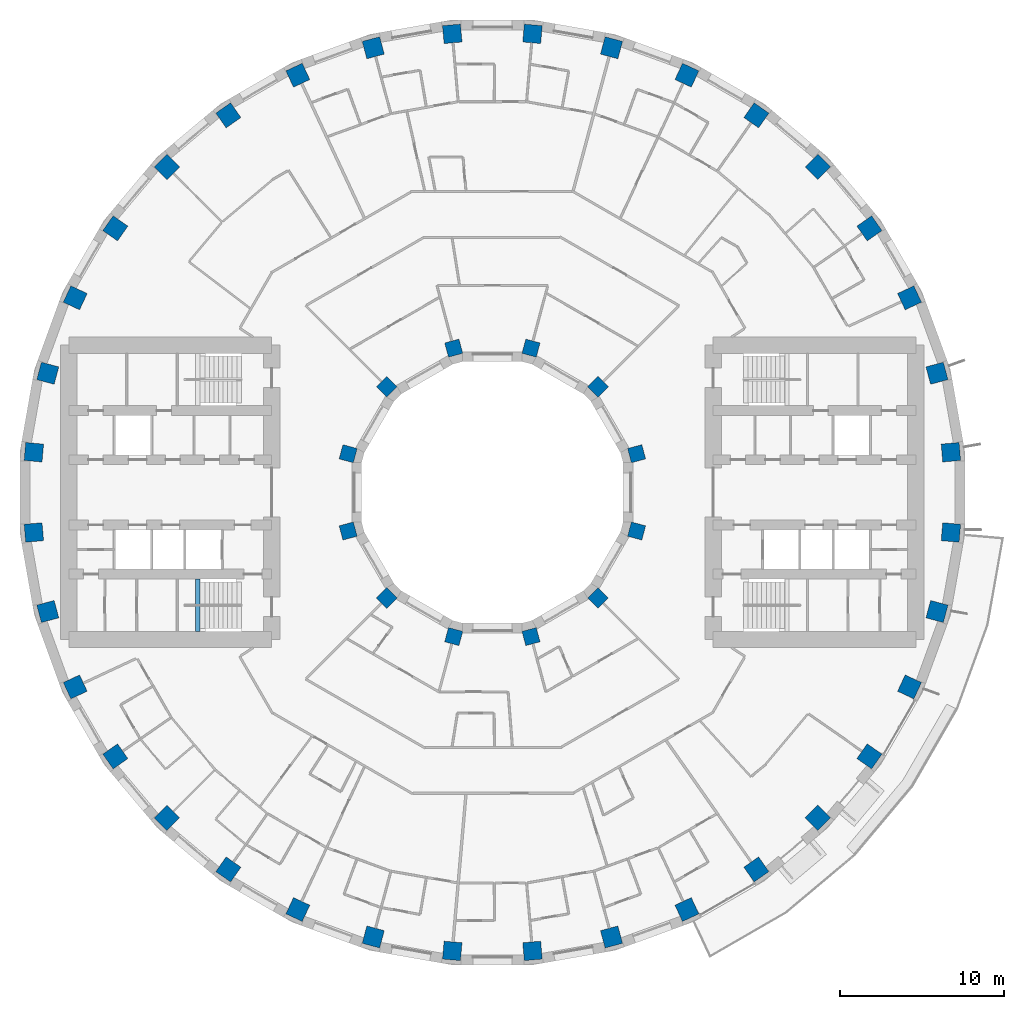
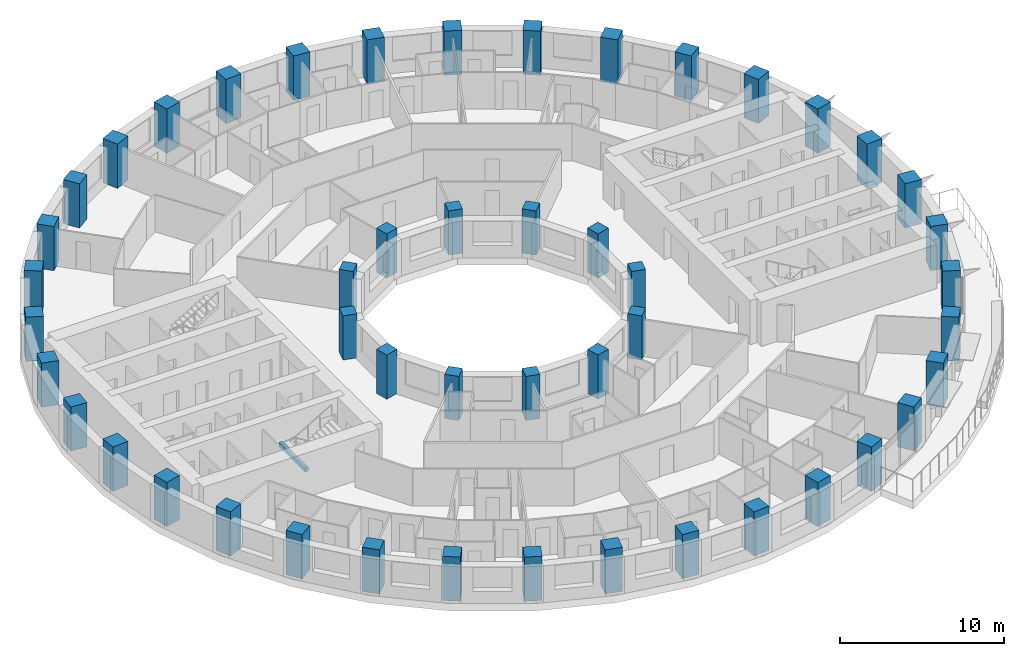
# One storey, part 1 of 15: 48 columns, 1 beam.
"""IFC4 building model written with IfcOpenShell, lengths in metres."""

from ifc_helpers import new_model, si_unit, direction, frame, origin, origin_2d, place, context, subcontext, project, spatial, rectangle, extrude, material, material_profile, profile_set, type_object, element, save


model = new_model("IFC4")

# Units and contexts
model_context = context("Model", 3, precision=1e-05, world=origin(), true_north=direction((0.0, 1.0)))
body_context = subcontext(model_context, "Body", "Model", "MODEL_VIEW")
ifc_project = project(units=[si_unit("LENGTHUNIT", "METRE"), si_unit("AREAUNIT", "SQUARE_METRE"), si_unit("VOLUMEUNIT", "CUBIC_METRE"), si_unit("PLANEANGLEUNIT", "RADIAN"), si_unit("MASSUNIT", "GRAM", prefix="KILO")], contexts=[model_context])

# Site, building, storey
site_placement = place(None, origin())
site = spatial("IfcSite", under=ifc_project, at=site_placement, CompositionType="ELEMENT")
building_placement = place(site_placement, origin())
building = spatial("IfcBuilding", under=site, at=building_placement, Name="Saqina Gate Tower", CompositionType="ELEMENT")
storey_placement = place(building_placement, frame((0.0, 0.0, 42.800048828125)))
storey = spatial("IfcBuildingStorey", under=building, at=storey_placement, Name="L11", CompositionType="ELEMENT", Elevation=42.800048828125)

# Columns
ifc_material_1 = material(Name="Concrete C70/85", Category="concrete")
ifc_material_profile_1 = material_profile(ifc_material_1, rectangle(XDim=0.89990234375, YDim=0.89990234375, at=origin_2d()), Name="RC 900x900")
ifc_profile_set_1 = profile_set([ifc_material_profile_1], Name="Concrete C70/85")
column_type_1 = type_object("IfcColumnType", Name="STR-COL-IN-A", PredefinedType="COLUMN", material=ifc_profile_set_1)
for number, where, z_axis, x_axis, name in (
    (1, (8.821044921875, 2.363525390625, 0.0), (0.0, 0.0, 1.0), (0.965925826289, 0.258819045103, 0.0), "L11-ICL01"),
    (2, (6.45751953125, 6.45751953125, 0.0), (0.0, 0.0, 1.0), (0.707106781187, 0.707106781187, 0.0), "L11-ICL02"),
    (3, (2.363525390625, 8.821044921875, 0.0), (0.0, 0.0, 1.0), (0.258819045103, 0.965925826289, 0.0), "L11-ICL03"),
    (4, (-2.363525390625, 8.821044921875, 0.0), (0.0, 0.0, 1.0), (-0.258819045103, 0.965925826289, 0.0), "L11-ICL04"),
    (5, (-6.45751953125, 6.45751953125, 0.0), (0.0, 0.0, 1.0), (-0.707106781187, 0.707106781187, 0.0), "L11-ICL05"),
    (6, (-8.821044921875, 2.363525390625, 0.0), (0.0, 0.0, 1.0), (-0.965925826289, 0.258819045103, 0.0), "L11-ICL06"),
    (7, (-8.821044921875, -2.363525390625, 0.0), (0.0, 0.0, 1.0), (-0.965925826289, -0.258819045103, 0.0), "L11-ICL07"),
    (8, (-6.45751953125, -6.45751953125, 0.0), (0.0, 0.0, 1.0), (-0.707106781187, -0.707106781187, 0.0), "L11-ICL08"),
    (9, (-2.363525390625, -8.821044921875, 0.0), (0.0, 0.0, 1.0), (-0.258819045103, -0.965925826289, 0.0), "L11-ICL09"),
    (10, (2.363525390625, -8.821044921875, 0.0), (0.0, 0.0, 1.0), (0.258819045103, -0.965925826289, 0.0), "L11-ICL10"),
    (11, (6.45751953125, -6.45751953125, 0.0), (0.0, 0.0, 1.0), (0.707106781187, -0.707106781187, 0.0), "L11-ICL11"),
    (12, (8.821044921875, -2.363525390625, 0.0), (0.0, 0.0, 1.0), (0.965925826289, -0.258819045103, 0.0), "L11-ICL12"),
):
    element("IfcColumn", number, at=place(storey_placement, frame(where, z_axis=z_axis, x_axis=x_axis)), inside=storey, type_object=column_type_1, Name=name, PredefinedType="COLUMN", context=body_context, shape_type="SweptSolid", body=[
        extrude(rectangle(XDim=0.89990234375, YDim=0.89990234375, at=origin_2d()), origin(), (0.0, 0.0, 1.0), 3.300048828125),
    ])
ifc_material_2 = material(Name="Concrete C70/85", Category="concrete")
ifc_material_profile_2 = material_profile(ifc_material_2, rectangle(XDim=1.10009765625, YDim=1.10009765625, at=origin_2d()), Name="RC 1100x1100")
ifc_profile_set_2 = profile_set([ifc_material_profile_2], Name="Concrete C70/85")
column_type_2 = type_object("IfcColumnType", Name="STR-COL-OUT-A", PredefinedType="COLUMN", material=ifc_profile_set_2)
for number, where, z_axis, x_axis, name in (
    (13, (28.04296875, 2.453369140625, 0.0), (0.0, 0.0, 1.0), (0.996194698092, 0.087155742748, 0.0), "L11-COL01"),
    (14, (27.19091796875, 7.28564453125, 0.0), (0.0, 0.0, 1.0), (0.965925826289, 0.258819045103, 0.0), "L11-COL02"),
    (15, (25.512451171875, 11.896728515625, 0.0), (0.0, 0.0, 1.0), (0.906307787037, 0.422618261741, 0.0), "L11-COL03"),
    (16, (23.05908203125, 16.146240234375, 0.0), (0.0, 0.0, 1.0), (0.819152044289, 0.573576436351, 0.0), "L11-COL04"),
    (17, (19.905029296875, 19.905029296875, 0.0), (0.0, 0.0, 1.0), (0.707106781187, 0.707106781187, 0.0), "L11-COL05"),
    (18, (16.146240234375, 23.05908203125, 0.0), (0.0, 0.0, 1.0), (0.573576436351, 0.819152044289, 0.0), "L11-COL06"),
    (19, (11.896728515625, 25.512451171875, 0.0), (0.0, 0.0, 1.0), (0.422618261741, 0.906307787037, 0.0), "L11-COL07"),
    (20, (7.28564453125, 27.19091796875, 0.0), (0.0, 0.0, 1.0), (0.258819045103, 0.965925826289, 0.0), "L11-COL08"),
    (21, (2.453369140625, 28.04296875, 0.0), (0.0, 0.0, 1.0), (0.087155742748, 0.996194698092, 0.0), "L11-COL09"),
    (22, (-2.453369140625, 28.04296875, 0.0), (0.0, 0.0, 1.0), (-0.087155742748, 0.996194698092, 0.0), "L11-COL10"),
    (23, (-7.28564453125, 27.19091796875, 0.0), (0.0, 0.0, 1.0), (-0.258819045103, 0.965925826289, 0.0), "L11-COL11"),
    (24, (-11.896728515625, 25.512451171875, 0.0), (0.0, 0.0, 1.0), (-0.422618261741, 0.906307787037, 0.0), "L11-COL12"),
    (25, (-16.146240234375, 23.05908203125, 0.0), (0.0, 0.0, 1.0), (-0.573576436351, 0.819152044289, 0.0), "L11-COL13"),
    (26, (-19.905029296875, 19.905029296875, 0.0), (0.0, 0.0, 1.0), (-0.707106781187, 0.707106781187, 0.0), "L11-COL14"),
    (27, (-23.05908203125, 16.146240234375, 0.0), (0.0, 0.0, 1.0), (-0.819152044289, 0.573576436351, 0.0), "L11-COL15"),
    (28, (-25.512451171875, 11.896728515625, 0.0), (0.0, 0.0, 1.0), (-0.906307787037, 0.422618261741, 0.0), "L11-COL16"),
    (29, (-27.19091796875, 7.28564453125, 0.0), (0.0, 0.0, 1.0), (-0.965925826289, 0.258819045103, 0.0), "L11-COL17"),
    (30, (-28.04296875, 2.453369140625, 0.0), (0.0, 0.0, 1.0), (-0.996194698092, 0.087155742748, 0.0), "L11-COL18"),
    (31, (-28.04296875, -2.453369140625, 0.0), (0.0, 0.0, 1.0), (-0.996194698092, -0.087155742748, 0.0), "L11-COL19"),
    (32, (-27.19091796875, -7.28564453125, 0.0), (0.0, 0.0, 1.0), (-0.965925826289, -0.258819045103, 0.0), "L11-COL20"),
    (33, (-25.512451171875, -11.896728515625, 0.0), (0.0, 0.0, 1.0), (-0.906307787037, -0.422618261741, 0.0), "L11-COL21"),
    (34, (-23.05908203125, -16.146240234375, 0.0), (0.0, 0.0, 1.0), (-0.819152044289, -0.573576436351, 0.0), "L11-COL22"),
    (35, (-19.905029296875, -19.905029296875, 0.0), (0.0, 0.0, 1.0), (-0.707106781187, -0.707106781187, 0.0), "L11-COL23"),
    (36, (-16.146240234375, -23.05908203125, 0.0), (0.0, 0.0, 1.0), (-0.573576436351, -0.819152044289, 0.0), "L11-COL24"),
    (37, (-11.896728515625, -25.512451171875, 0.0), (0.0, 0.0, 1.0), (-0.422618261741, -0.906307787037, 0.0), "L11-COL25"),
    (38, (-7.28564453125, -27.19091796875, 0.0), (0.0, 0.0, 1.0), (-0.258819045103, -0.965925826289, 0.0), "L11-COL26"),
    (39, (-2.453369140625, -28.04296875, 0.0), (0.0, 0.0, 1.0), (-0.087155742748, -0.996194698092, 0.0), "L11-COL27"),
    (40, (2.453369140625, -28.04296875, 0.0), (0.0, 0.0, 1.0), (0.087155742748, -0.996194698092, 0.0), "L11-COL28"),
    (41, (7.28564453125, -27.19091796875, 0.0), (0.0, 0.0, 1.0), (0.258819045103, -0.965925826289, 0.0), "L11-COL29"),
    (42, (11.896728515625, -25.512451171875, 0.0), (0.0, 0.0, 1.0), (0.422618261741, -0.906307787037, 0.0), "L11-COL30"),
    (43, (16.146240234375, -23.05908203125, 0.0), (0.0, 0.0, 1.0), (0.573576436351, -0.819152044289, 0.0), "L11-COL31"),
    (44, (19.905029296875, -19.905029296875, 0.0), (0.0, 0.0, 1.0), (0.707106781187, -0.707106781187, 0.0), "L11-COL32"),
    (45, (23.05908203125, -16.146240234375, 0.0), (0.0, 0.0, 1.0), (0.819152044289, -0.573576436351, 0.0), "L11-COL33"),
    (46, (25.512451171875, -11.896728515625, 0.0), (0.0, 0.0, 1.0), (0.906307787037, -0.422618261741, 0.0), "L11-COL34"),
    (47, (27.19091796875, -7.28564453125, 0.0), (0.0, 0.0, 1.0), (0.965925826289, -0.258819045103, 0.0), "L11-COL35"),
    (48, (28.04296875, -2.453369140625, 0.0), (0.0, 0.0, 1.0), (0.996194698092, -0.087155742748, 0.0), "L11-COL36"),
):
    element("IfcColumn", number, at=place(storey_placement, frame(where, z_axis=z_axis, x_axis=x_axis)), inside=storey, type_object=column_type_2, Name=name, PredefinedType="COLUMN", context=body_context, shape_type="SweptSolid", body=[
        extrude(rectangle(XDim=1.10009765625, YDim=1.10009765625, at=origin_2d()), origin(), (0.0, 0.0, 1.0), 3.300048828125),
    ])

# Beam
ifc_material_3 = material(Name="Concrete C40/50", Category="concrete")
ifc_material_profile_3 = material_profile(ifc_material_3, rectangle(XDim=0.25, YDim=0.300048828125, at=origin_2d()), Name="STAIR LANDING BEAM")
ifc_profile_set_3 = profile_set([ifc_material_profile_3], Name="Concrete C40/50")
beam_type = type_object("IfcBeamType", Name="STAIR LANDING BEAM", PredefinedType="BEAM", material=ifc_profile_set_3)
beam_placement = place(storey_placement, frame((-18.02001953125, -8.5, 1.25), z_axis=(0.0, 1.0, 0.0), x_axis=(-1.0, 0.0, 0.0)))
element("IfcBeam", 49, at=beam_placement, inside=storey, type_object=beam_type, Name="EXIT STAIR 4 LANDING BEAM", PredefinedType="BEAM", context=body_context, shape_type="SweptSolid", body=[
    extrude(rectangle(XDim=0.25, YDim=0.300048828125, at=origin_2d()), origin(), (0.0, 0.0, 1.0), 3.199951171875),
])

save(model, "model.ifc")
